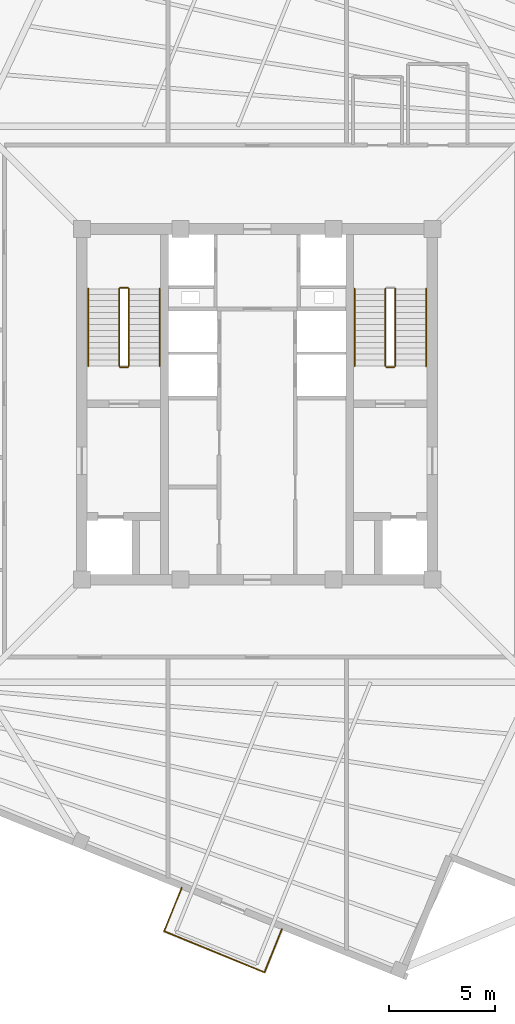
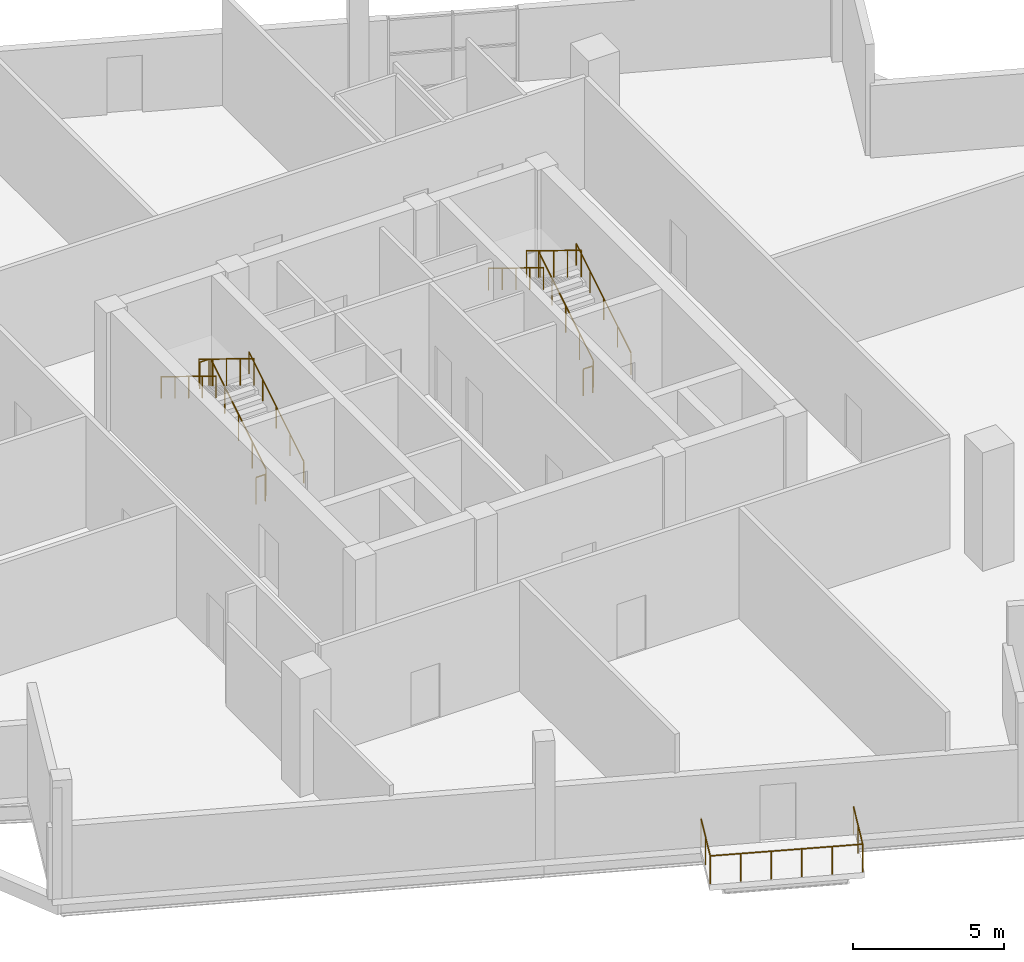
# One storey, part 8 of 9: 14 railings.
"""IFC4 building model written with IfcOpenShell, lengths in metres."""

from ifc_helpers import new_model, si_unit, direction, frame, origin, origin_2d, place, context, subcontext, project, spatial, circle, extrude, source, transform, mapped, material, type_object, element, save


model = new_model("IFC4")

# Units and contexts
model_context = context("Model", 3, precision=1e-05, world=origin(), true_north=direction((0.0, 1.0)))
body_context = subcontext(model_context, "Body", "Model", "MODEL_VIEW")
ifc_project = project(units=[si_unit("LENGTHUNIT", "METRE"), si_unit("AREAUNIT", "SQUARE_METRE"), si_unit("VOLUMEUNIT", "CUBIC_METRE"), si_unit("PLANEANGLEUNIT", "RADIAN"), si_unit("MASSUNIT", "GRAM", prefix="KILO"), si_unit("THERMODYNAMICTEMPERATUREUNIT", "KELVIN")], contexts=[model_context])

# Site, building, storey
site_placement = place(None, origin())
site = spatial("IfcSite", under=ifc_project, at=site_placement, CompositionType="ELEMENT")
building_placement = place(site_placement, origin())
building = spatial("IfcBuilding", under=site, at=building_placement, Name="Kosmvard Interchange Tower", CompositionType="ELEMENT")
storey_placement = place(building_placement, frame((0.0, 0.0, 316.800048828125)))
storey = spatial("IfcBuildingStorey", under=building, at=storey_placement, Name="L78", CompositionType="ELEMENT", Elevation=316.800048828125)

# Railings
ifc_material = material(Name="Steel S355", Category="steel")
railing_type_1 = type_object("IfcRailingType", Name="Observation & Balcony Glass-Infill Balustrade 1150", PredefinedType="BALUSTRADE", material=ifc_material)
shared_shape_1 = source(origin(), body_context, "Body", "SweptSolid", [
    extrude(circle(Radius=0.02392578125, at=origin_2d()), frame((0.0, 0.0, 1.1259765625), z_axis=(0.374641021112, 0.927169944131, 0.0), x_axis=(-0.927169944131, 0.374641021112, 0.0)), (0.0, 0.0, 1.0), 2.199951171875),
    extrude(circle(Radius=0.02099609375, at=origin_2d()), origin(), (0.0, 0.0, 1.0), 1.101806640625),
    extrude(circle(Radius=0.02099609375, at=origin_2d()), frame((0.412109375, 1.02001953125, 0.0)), (0.0, 0.0, 1.0), 1.101806640625),
    extrude(circle(Radius=0.02099609375, at=origin_2d()), frame((0.82421875, 2.039794921875, 0.0)), (0.0, 0.0, 1.0), 1.101806640625),
])
railing_1_placement = place(storey_placement, frame((0.34326171875, -26.744140625, 0.0)))
element("IfcRailing", 1, at=railing_1_placement, inside=storey, type_object=railing_type_1, Name="L78 Outdoor Terrace Guard OBD-L78-W-C", PredefinedType="BALUSTRADE", context=body_context, shape_type="MappedRepresentation", body=[
    mapped(shared_shape_1, transform((0.0, 0.0, 0.0), scale=1.0)),
])
shared_shape_2 = source(origin(), body_context, "Body", "SweptSolid", [
    extrude(circle(Radius=0.02392578125, at=origin_2d()), frame((0.0, 0.0, 1.1259765625), z_axis=(-0.374641021112, -0.927169944131, 0.0), x_axis=(0.927169944131, -0.374641021112, 0.0)), (0.0, 0.0, 1.0), 2.199951171875),
    extrude(circle(Radius=0.02099609375, at=origin_2d()), origin(), (0.0, 0.0, 1.0), 1.101806640625),
    extrude(circle(Radius=0.02099609375, at=origin_2d()), frame((-0.412109375, -1.02001953125, 0.0)), (0.0, 0.0, 1.0), 1.101806640625),
    extrude(circle(Radius=0.02099609375, at=origin_2d()), frame((-0.82421875, -2.039794921875, 0.0)), (0.0, 0.0, 1.0), 1.101806640625),
])
railing_2_placement = place(storey_placement, frame((-3.55419921875, -22.762939453125, 0.0)))
element("IfcRailing", 2, at=railing_2_placement, inside=storey, type_object=railing_type_1, Name="L78 Outdoor Terrace Guard OBD-L78-W-A", PredefinedType="BALUSTRADE", context=body_context, shape_type="MappedRepresentation", body=[
    mapped(shared_shape_2, transform((0.0, 0.0, 0.0), scale=1.0)),
])
shared_shape_3 = source(origin(), body_context, "Body", "SweptSolid", [
    extrude(circle(Radius=0.02392578125, at=origin_2d()), frame((0.0, 0.0, 1.1259765625), z_axis=(0.924872094876, -0.380278329806, 0.0), x_axis=(0.380278329806, 0.924872094876, 0.0)), (0.0, 0.0, 1.0), 5.105224609375),
    extrude(circle(Radius=0.02099609375, at=origin_2d()), origin(), (0.0, 0.0, 1.0), 1.101806640625),
    extrude(circle(Radius=0.02099609375, at=origin_2d()), frame((0.9443359375, -0.38818359375, 0.0)), (0.0, 0.0, 1.0), 1.101806640625),
    extrude(circle(Radius=0.02099609375, at=origin_2d()), frame((1.888671875, -0.776611328125, 0.0)), (0.0, 0.0, 1.0), 1.101806640625),
    extrude(circle(Radius=0.02099609375, at=origin_2d()), frame((2.8330078125, -1.164794921875, 0.0)), (0.0, 0.0, 1.0), 1.101806640625),
    extrude(circle(Radius=0.02099609375, at=origin_2d()), frame((3.77734375, -1.55322265625, 0.0)), (0.0, 0.0, 1.0), 1.101806640625),
    extrude(circle(Radius=0.02099609375, at=origin_2d()), frame((4.7216796875, -1.94140625, 0.0)), (0.0, 0.0, 1.0), 1.101806640625),
])
railing_3_placement = place(storey_placement, frame((-4.37841796875, -24.802734375, 0.0)))
element("IfcRailing", 3, at=railing_3_placement, inside=storey, type_object=railing_type_1, Name="L78 Outdoor Terrace Guard OBD-L78-W-B", PredefinedType="BALUSTRADE", context=body_context, shape_type="MappedRepresentation", body=[
    mapped(shared_shape_3, transform((0.0, 0.0, 0.0), scale=1.0)),
])
railing_type_2 = type_object("IfcRailingType", Name="Stair & Terrace Safety Guardrail 1100 Steel", PredefinedType="GUARDRAIL", material=ifc_material)
shared_shape_4 = source(origin(), body_context, "Body", "SweptSolid", [
    extrude(circle(Radius=0.02392578125, at=origin_2d()), frame((0.0, 0.0, 1.076171875), z_axis=(-1.0, 0.0, 0.0), x_axis=(0.0, -1.0, 0.0)), (0.0, 0.0, 1.0), 0.35986328125),
    extrude(circle(Radius=0.02099609375, at=origin_2d()), origin(), (0.0, 0.0, 1.0), 1.052001953125),
    extrude(circle(Radius=0.02099609375, at=origin_2d()), frame((-0.35986328125, 0.0, 0.0)), (0.0, 0.0, 1.0), 1.052001953125),
])
for number, where, name in (
    (4, (-6.090087890625, 5.489990234375, 2.39990234375), "L78 ST-1 stair guard 2"),
    (5, (-6.090087890625, 1.75, 0.0), "L78 ST-1 stair guard 4"),
    (6, (6.449951171875, 1.75, 0.0), "L78 ST-2 stair guard 4"),
):
    element("IfcRailing", number, at=place(storey_placement, frame(where)), inside=storey, type_object=railing_type_2, Name=name, PredefinedType="GUARDRAIL", context=body_context, shape_type="MappedRepresentation", body=[
        mapped(shared_shape_4, transform((0.0, 0.0, 0.0), scale=1.0)),
    ])
shared_shape_5 = source(origin(), body_context, "Body", "SweptSolid", [
    extrude(circle(Radius=0.02392578125, at=origin_2d()), frame((0.0, 0.0, 1.076171875), z_axis=(0.0, 0.852850264322, 0.5221555579), x_axis=(-1.0, 0.0, 0.0)), (0.0, 0.0, 1.0), 4.267822265625),
    extrude(circle(Radius=0.02099609375, at=origin_2d()), origin(), (0.0, 0.0, 1.0), 1.052001953125),
    extrude(circle(Radius=0.02099609375, at=origin_2d()), frame((0.0, 0.909912109375, 0.55712890625)), (0.0, 0.0, 1.0), 1.052001953125),
    extrude(circle(Radius=0.02099609375, at=origin_2d()), frame((0.0, 1.81982421875, 1.1142578125)), (0.0, 0.0, 1.0), 1.052001953125),
    extrude(circle(Radius=0.02099609375, at=origin_2d()), frame((0.0, 2.72998046875, 1.67138671875)), (0.0, 0.0, 1.0), 1.052001953125),
    extrude(circle(Radius=0.02099609375, at=origin_2d()), frame((0.0, 3.639892578125, 2.228515625)), (0.0, 0.0, 1.0), 1.052001953125),
])
for number, where, name in (
    (7, (-6.0400390625, 1.800048828125, 0.17138671875), "L78 ST-1 stair guard 1"),
    (8, (6.5, 1.800048828125, 0.17138671875), "L78 ST-2 stair guard 1"),
):
    element("IfcRailing", number, at=place(storey_placement, frame(where)), inside=storey, type_object=railing_type_2, Name=name, PredefinedType="GUARDRAIL", context=body_context, shape_type="MappedRepresentation", body=[
        mapped(shared_shape_5, transform((0.0, 0.0, 0.0), scale=1.0)),
    ])
railing_type_3 = type_object("IfcRailingType", Name="Wall-Mounted Stair Handrail 900 Steel", PredefinedType="HANDRAIL", material=ifc_material)
shared_shape_6 = source(origin(), body_context, "Body", "SweptSolid", [
    extrude(circle(Radius=0.02392578125, at=origin_2d()), frame((0.0, 0.0, 0.8759765625), z_axis=(0.0, 0.852850264322, 0.5221555579), x_axis=(-1.0, 0.0, 0.0)), (0.0, 0.0, 1.0), 4.267822265625),
    extrude(circle(Radius=0.02099609375, at=origin_2d()), origin(), (0.0, 0.0, 1.0), 0.851806640625),
    extrude(circle(Radius=0.02099609375, at=origin_2d()), frame((0.0, 0.909912109375, 0.55712890625)), (0.0, 0.0, 1.0), 0.851806640625),
    extrude(circle(Radius=0.02099609375, at=origin_2d()), frame((0.0, 1.81982421875, 1.1142578125)), (0.0, 0.0, 1.0), 0.851806640625),
    extrude(circle(Radius=0.02099609375, at=origin_2d()), frame((0.0, 2.72998046875, 1.67138671875)), (0.0, 0.0, 1.0), 0.851806640625),
    extrude(circle(Radius=0.02099609375, at=origin_2d()), frame((0.0, 3.639892578125, 2.228515625)), (0.0, 0.0, 1.0), 0.851806640625),
])
for number, where, name in (
    (9, (-4.590087890625, 1.800048828125, 0.17138671875), "L78 ST-1 stair handrail 1"),
    (10, (7.949951171875, 1.800048828125, 0.17138671875), "L78 ST-2 stair handrail 1"),
):
    element("IfcRailing", number, at=place(storey_placement, frame(where)), inside=storey, type_object=railing_type_3, Name=name, PredefinedType="HANDRAIL", context=body_context, shape_type="MappedRepresentation", body=[
        mapped(shared_shape_6, transform((0.0, 0.0, 0.0), scale=1.0)),
    ])
shared_shape_7 = source(origin(), body_context, "Body", "SweptSolid", [
    extrude(circle(Radius=0.02392578125, at=origin_2d()), frame((0.0, 0.0, 1.076171875), z_axis=(0.0, -0.852824790078, 0.522197163366), x_axis=(1.0, 0.0, 0.0)), (0.0, 0.0, 1.0), 4.26806640625),
    extrude(circle(Radius=0.02099609375, at=origin_2d()), origin(), (0.0, 0.0, 1.0), 1.052001953125),
    extrude(circle(Radius=0.02099609375, at=origin_2d()), frame((0.0, -0.909912109375, 0.55712890625)), (0.0, 0.0, 1.0), 1.052001953125),
    extrude(circle(Radius=0.02099609375, at=origin_2d()), frame((0.0, -1.81982421875, 1.1142578125)), (0.0, 0.0, 1.0), 1.052001953125),
    extrude(circle(Radius=0.02099609375, at=origin_2d()), frame((0.0, -2.72998046875, 1.671630859375)), (0.0, 0.0, 1.0), 1.052001953125),
    extrude(circle(Radius=0.02099609375, at=origin_2d()), frame((0.0, -3.639892578125, 2.228759765625)), (0.0, 0.0, 1.0), 1.052001953125),
])
for number, where, name in (
    (11, (-6.5, 5.43994140625, 2.5712890625), "L78 ST-1 stair guard 3"),
    (12, (6.0400390625, 5.43994140625, 2.5712890625), "L78 ST-2 stair guard 3"),
):
    element("IfcRailing", number, at=place(storey_placement, frame(where)), inside=storey, type_object=railing_type_2, Name=name, PredefinedType="GUARDRAIL", context=body_context, shape_type="MappedRepresentation", body=[
        mapped(shared_shape_7, transform((0.0, 0.0, 0.0), scale=1.0)),
    ])
shared_shape_8 = source(origin(), body_context, "Body", "SweptSolid", [
    extrude(circle(Radius=0.02392578125, at=origin_2d()), frame((0.0, 0.0, 0.8759765625), z_axis=(0.0, -0.852824790078, 0.522197163366), x_axis=(1.0, 0.0, 0.0)), (0.0, 0.0, 1.0), 4.26806640625),
    extrude(circle(Radius=0.02099609375, at=origin_2d()), origin(), (0.0, 0.0, 1.0), 0.851806640625),
    extrude(circle(Radius=0.02099609375, at=origin_2d()), frame((0.0, -0.909912109375, 0.55712890625)), (0.0, 0.0, 1.0), 0.851806640625),
    extrude(circle(Radius=0.02099609375, at=origin_2d()), frame((0.0, -1.81982421875, 1.1142578125)), (0.0, 0.0, 1.0), 0.851806640625),
    extrude(circle(Radius=0.02099609375, at=origin_2d()), frame((0.0, -2.72998046875, 1.671630859375)), (0.0, 0.0, 1.0), 0.851806640625),
    extrude(circle(Radius=0.02099609375, at=origin_2d()), frame((0.0, -3.639892578125, 2.228759765625)), (0.0, 0.0, 1.0), 0.851806640625),
])
for number, where, name in (
    (13, (-7.949951171875, 5.43994140625, 2.5712890625), "L78 ST-1 stair handrail 2"),
    (14, (4.590087890625, 5.43994140625, 2.5712890625), "L78 ST-2 stair handrail 2"),
):
    element("IfcRailing", number, at=place(storey_placement, frame(where)), inside=storey, type_object=railing_type_3, Name=name, PredefinedType="HANDRAIL", context=body_context, shape_type="MappedRepresentation", body=[
        mapped(shared_shape_8, transform((0.0, 0.0, 0.0), scale=1.0)),
    ])

save(model, "model.ifc")
